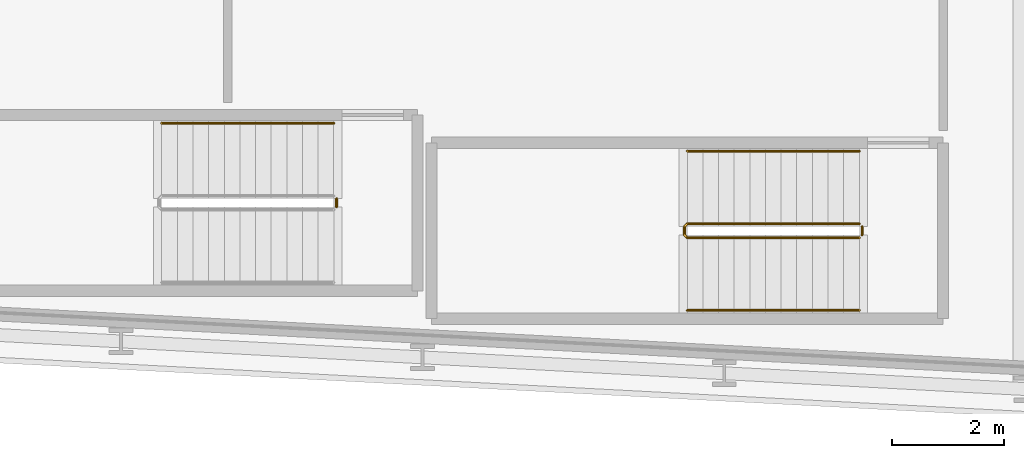
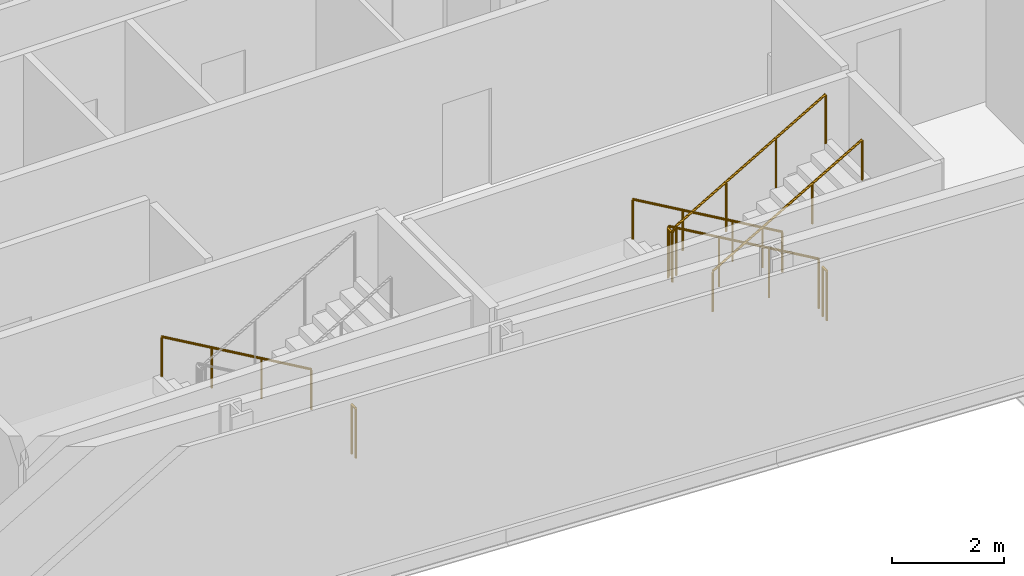
# One storey, part 26 of 29: 6 railings.
"""IFC4 building model written with IfcOpenShell, lengths in metres."""

from ifc_helpers import new_model, si_unit, direction, frame, origin, origin_2d, place, context, subcontext, project, spatial, circle, extrude, material, type_object, element, save


model = new_model("IFC4")

# Units and contexts
model_context = context("Model", 3, precision=1e-05, world=origin(), true_north=direction((0.0, 1.0)))
body_context = subcontext(model_context, "Body", "Model", "MODEL_VIEW")
ifc_project = project(units=[si_unit("LENGTHUNIT", "METRE"), si_unit("AREAUNIT", "SQUARE_METRE"), si_unit("VOLUMEUNIT", "CUBIC_METRE"), si_unit("PLANEANGLEUNIT", "RADIAN"), si_unit("MASSUNIT", "GRAM", prefix="KILO")], contexts=[model_context])

# Site, building, storey
site_placement = place(None, origin())
site = spatial("IfcSite", under=ifc_project, at=site_placement, CompositionType="ELEMENT")
building_placement = place(site_placement, origin())
building = spatial("IfcBuilding", under=site, at=building_placement, Name="Kheshtan School and Residences Tower", CompositionType="ELEMENT")
storey_placement = place(building_placement, frame((0.0, 0.0, 65.60009765625)))
storey = spatial("IfcBuildingStorey", under=building, at=storey_placement, Name="L15", CompositionType="ELEMENT", Elevation=65.60009765625)

# Railings
ifc_material_1 = material(Name="Stainless steel balustrade", Category="steel")
railing_type_1 = type_object("IfcRailingType", Name="Stair guard 1100", PredefinedType="GUARDRAIL", material=ifc_material_1)
railing_1_placement = place(storey_placement, frame((87.820068359375, 23.949951171875, 0.162353515625)))
element("IfcRailing", 1, at=railing_1_placement, inside=storey, type_object=railing_type_1, Name="L15 ST4 stair guard 1", PredefinedType="GUARDRAIL", context=body_context, shape_type="SweptSolid", body=[
    extrude(circle(Radius=0.02392578125, at=origin_2d()), frame((0.0, 0.0, 1.076171875), z_axis=(-0.864890721111, 0.0, 0.501960198159), x_axis=(0.0, -1.0, 0.0)), (0.0, 0.0, 1.0), 3.561279296875),
    extrude(circle(Radius=0.02392578125, at=origin_2d()), frame((-3.080078125, 0.0, 2.86376953125), z_axis=(-0.707106781187, -0.707106781187, 0.0), x_axis=(0.707106781187, -0.707106781187, 0.0)), (0.0, 0.0, 1.0), 0.07080078125),
    extrude(circle(Radius=0.02392578125, at=origin_2d()), frame((-3.130126953125, -0.050048828125, 2.86376953125), z_axis=(0.0, -1.0, 0.0), x_axis=(1.0, 0.0, 0.0)), (0.0, 0.0, 1.0), 0.14990234375),
    extrude(circle(Radius=0.02392578125, at=origin_2d()), frame((-3.130126953125, -0.199951171875, 2.86376953125), z_axis=(0.282583949758, -0.282583949758, 0.916674763849), x_axis=(0.707106781187, 0.707106781187, 0.0)), (0.0, 0.0, 1.0), 0.177001953125),
    extrude(circle(Radius=0.02392578125, at=origin_2d()), frame((-3.080078125, -0.25, 3.02587890625), z_axis=(0.864890721111, 0.0, 0.501960198159), x_axis=(0.0, 1.0, 0.0)), (0.0, 0.0, 1.0), 3.561279296875),
    extrude(circle(Radius=0.02099609375, at=origin_2d()), origin(), (0.0, 0.0, 1.0), 1.052001953125),
    extrude(circle(Radius=0.02099609375, at=origin_2d()), frame((-1.026611328125, 0.0, 0.595947265625)), (0.0, 0.0, 1.0), 1.052001953125),
    extrude(circle(Radius=0.02099609375, at=origin_2d()), frame((-2.053466796875, 0.0, 1.191650390625)), (0.0, 0.0, 1.0), 1.052001953125),
    extrude(circle(Radius=0.02099609375, at=origin_2d()), frame((-3.080078125, 0.0, 1.78759765625)), (0.0, 0.0, 1.0), 1.052001953125),
    extrude(circle(Radius=0.02099609375, at=origin_2d()), frame((-3.130126953125, -0.050048828125, 1.78759765625)), (0.0, 0.0, 1.0), 1.052001953125),
    extrude(circle(Radius=0.02099609375, at=origin_2d()), frame((-3.130126953125, -0.199951171875, 1.78759765625)), (0.0, 0.0, 1.0), 1.052001953125),
    extrude(circle(Radius=0.02099609375, at=origin_2d()), frame((-3.080078125, -0.25, 1.949951171875)), (0.0, 0.0, 1.0), 1.052001953125),
    extrude(circle(Radius=0.02099609375, at=origin_2d()), frame((-2.053466796875, -0.25, 2.5458984375)), (0.0, 0.0, 1.0), 1.052001953125),
    extrude(circle(Radius=0.02099609375, at=origin_2d()), frame((-1.026611328125, -0.25, 3.1416015625)), (0.0, 0.0, 1.0), 1.052001953125),
    extrude(circle(Radius=0.02099609375, at=origin_2d()), frame((0.0, -0.25, 3.737548828125)), (0.0, 0.0, 1.0), 1.052001953125),
])
for number, where, name in (
    (2, (87.8701171875, 23.89990234375, 0.0), "L15 ST4 stair guard 2"),
    (3, (78.4599609375, 24.39990234375, 0.0), "L15 ST5 stair guard 2"),
):
    element("IfcRailing", number, at=place(storey_placement, frame(where)), inside=storey, type_object=railing_type_1, Name=name, PredefinedType="GUARDRAIL", context=body_context, shape_type="SweptSolid", body=[
        extrude(circle(Radius=0.02392578125, at=origin_2d()), frame((0.0, 0.0, 1.076171875), z_axis=(0.0, -1.0, 0.0), x_axis=(1.0, 0.0, 0.0)), (0.0, 0.0, 1.0), 0.14990234375),
        extrude(circle(Radius=0.02099609375, at=origin_2d()), origin(), (0.0, 0.0, 1.0), 1.052001953125),
        extrude(circle(Radius=0.02099609375, at=origin_2d()), frame((0.0, -0.14990234375, 0.0)), (0.0, 0.0, 1.0), 1.052001953125),
    ])
ifc_material_2 = material(Name="Stainless steel handrail", Category="steel")
railing_type_2 = type_object("IfcRailingType", Name="Stair handrail 900", PredefinedType="HANDRAIL", material=ifc_material_2)
railing_2_placement = place(storey_placement, frame((87.820068359375, 25.25, 0.162353515625)))
element("IfcRailing", 4, at=railing_2_placement, inside=storey, type_object=railing_type_2, Name="L15 ST4 stair handrail 1", PredefinedType="HANDRAIL", context=body_context, shape_type="SweptSolid", body=[
    extrude(circle(Radius=0.02392578125, at=origin_2d()), frame((0.0, 0.0, 0.8759765625), z_axis=(-0.864890721111, 0.0, 0.501960198159), x_axis=(0.0, -1.0, 0.0)), (0.0, 0.0, 1.0), 3.561279296875),
    extrude(circle(Radius=0.02099609375, at=origin_2d()), origin(), (0.0, 0.0, 1.0), 0.851806640625),
    extrude(circle(Radius=0.02099609375, at=origin_2d()), frame((-1.026611328125, 0.0, 0.595947265625)), (0.0, 0.0, 1.0), 0.851806640625),
    extrude(circle(Radius=0.02099609375, at=origin_2d()), frame((-2.053466796875, 0.0, 1.191650390625)), (0.0, 0.0, 1.0), 0.851806640625),
    extrude(circle(Radius=0.02099609375, at=origin_2d()), frame((-3.080078125, 0.0, 1.78759765625)), (0.0, 0.0, 1.0), 0.851806640625),
])
railing_3_placement = place(storey_placement, frame((84.739990234375, 22.39990234375, 2.1123046875)))
element("IfcRailing", 5, at=railing_3_placement, inside=storey, type_object=railing_type_2, Name="L15 ST4 stair handrail 2", PredefinedType="HANDRAIL", context=body_context, shape_type="SweptSolid", body=[
    extrude(circle(Radius=0.02392578125, at=origin_2d()), frame((0.0, 0.0, 0.8759765625), z_axis=(0.864890721111, 0.0, 0.501960198159), x_axis=(0.0, 1.0, 0.0)), (0.0, 0.0, 1.0), 3.561279296875),
    extrude(circle(Radius=0.02099609375, at=origin_2d()), origin(), (0.0, 0.0, 1.0), 0.851806640625),
    extrude(circle(Radius=0.02099609375, at=origin_2d()), frame((1.026611328125, 0.0, 0.595947265625)), (0.0, 0.0, 1.0), 0.851806640625),
    extrude(circle(Radius=0.02099609375, at=origin_2d()), frame((2.053466796875, 0.0, 1.191650390625)), (0.0, 0.0, 1.0), 0.851806640625),
    extrude(circle(Radius=0.02099609375, at=origin_2d()), frame((3.080078125, 0.0, 1.78759765625)), (0.0, 0.0, 1.0), 0.851806640625),
])
railing_4_placement = place(storey_placement, frame((78.409912109375, 25.75, 0.162353515625)))
element("IfcRailing", 6, at=railing_4_placement, inside=storey, type_object=railing_type_2, Name="L15 ST5 stair handrail 1", PredefinedType="HANDRAIL", context=body_context, shape_type="SweptSolid", body=[
    extrude(circle(Radius=0.02392578125, at=origin_2d()), frame((0.0, 0.0, 0.8759765625), z_axis=(-0.864873446163, 0.0, 0.501989962173), x_axis=(0.0, -1.0, 0.0)), (0.0, 0.0, 1.0), 3.56103515625),
    extrude(circle(Radius=0.02099609375, at=origin_2d()), origin(), (0.0, 0.0, 1.0), 0.851806640625),
    extrude(circle(Radius=0.02099609375, at=origin_2d()), frame((-1.026611328125, 0.0, 0.595947265625)), (0.0, 0.0, 1.0), 0.851806640625),
    extrude(circle(Radius=0.02099609375, at=origin_2d()), frame((-2.05322265625, 0.0, 1.191650390625)), (0.0, 0.0, 1.0), 0.851806640625),
    extrude(circle(Radius=0.02099609375, at=origin_2d()), frame((-3.079833984375, 0.0, 1.78759765625)), (0.0, 0.0, 1.0), 0.851806640625),
])

save(model, "model.ifc")
